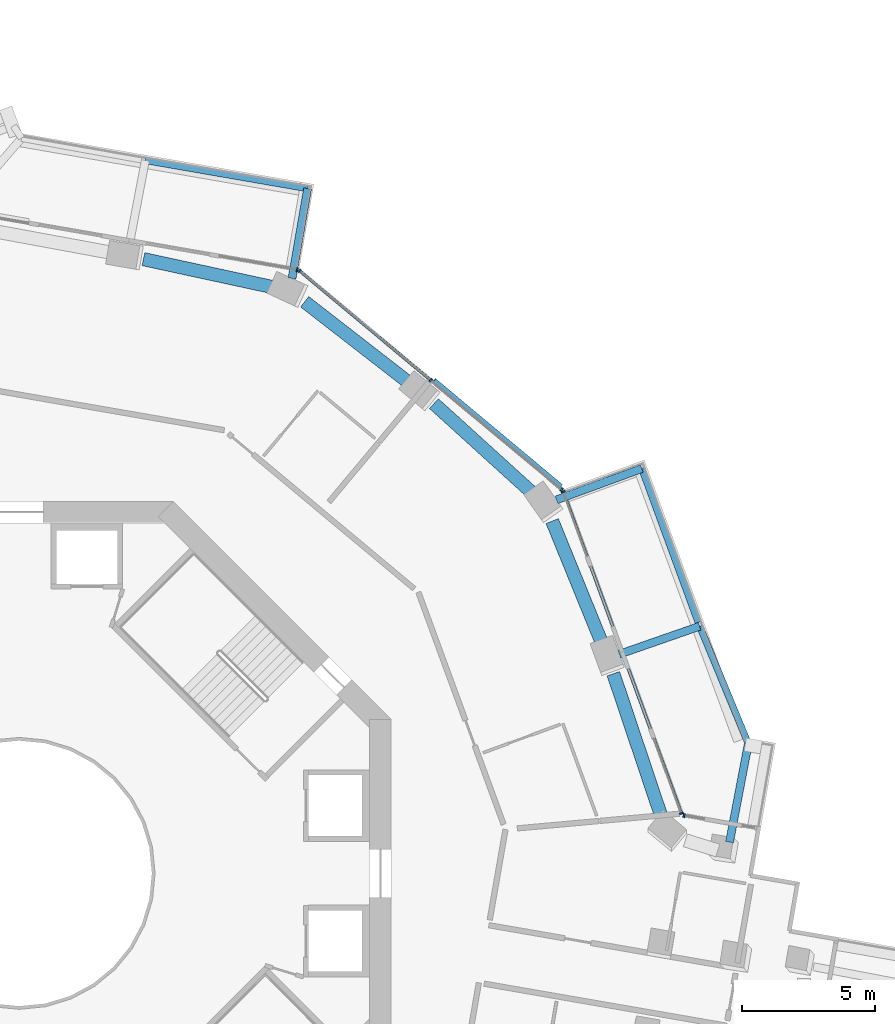
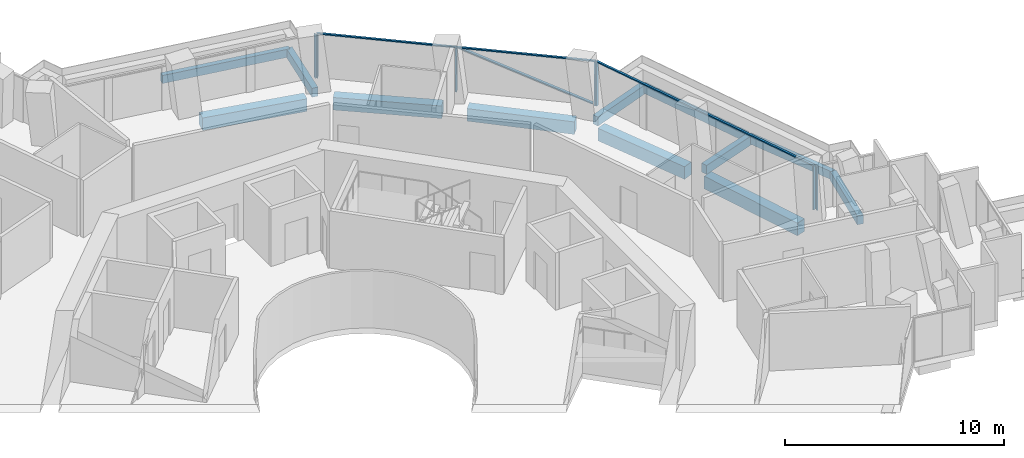
# One storey, part 9 of 24: 12 beams, 10 members, 4 elements without a shape of their own.
"""IFC4 building model written with IfcOpenShell, lengths in metres."""

from ifc_helpers import new_model, si_unit, direction, frame, origin, origin_2d, place, context, subcontext, project, spatial, rectangle, extrude, material, layer, layer_set, material_profile, profile_set, type_object, element, aggregate, save


model = new_model("IFC4")

# Units and contexts
model_context = context("Model", 3, precision=1e-05, world=origin(), true_north=direction((0.0, 1.0)))
body_context = subcontext(model_context, "Body", "Model", "MODEL_VIEW")
ifc_project = project(units=[si_unit("LENGTHUNIT", "METRE"), si_unit("AREAUNIT", "SQUARE_METRE"), si_unit("VOLUMEUNIT", "CUBIC_METRE"), si_unit("PLANEANGLEUNIT", "RADIAN"), si_unit("MASSUNIT", "GRAM", prefix="KILO")], contexts=[model_context])

# Site, building, storey
site_placement = place(None, origin())
site = spatial("IfcSite", under=ifc_project, at=site_placement, CompositionType="ELEMENT")
building_placement = place(site_placement, origin())
building = spatial("IfcBuilding", under=site, at=building_placement, Name="Verdalira Terraces Hotel", CompositionType="ELEMENT")
storey_placement = place(building_placement, frame((0.0, 0.0, 115.0)))
storey = spatial("IfcBuildingStorey", under=building, at=storey_placement, Name="L27", CompositionType="ELEMENT", Elevation=115.0)

# Beams
ifc_material_1 = material(Name="Concrete C40", Category="concrete")
ifc_material_profile_1 = material_profile(ifc_material_1, rectangle(XDim=0.300049, YDim=0.5, at=origin_2d()), Name="RC 300X500")
ifc_profile_set_1 = profile_set([ifc_material_profile_1], Name="Concrete C40")
beam_type_1 = type_object("IfcBeamType", Name="Balcony cantilever beam RC 300X500 C40", PredefinedType="BEAM", material=ifc_profile_set_1)
beam_1_placement = place(storey_placement, frame((26.745605, 1.177002, -0.560059), z_axis=(0.187403714, 0.982282978, 0.0), x_axis=(-0.982282978, 0.187403714, 0.0)))
element("IfcBeam", 1, at=beam_1_placement, inside=storey, type_object=beam_type_1, Name="Balcony cantilever beam R38-1", PredefinedType="BEAM", context=body_context, shape_type="SweptSolid", body=[
    extrude(rectangle(XDim=0.300049, YDim=0.5, at=origin_2d()), origin(), (0.0, 0.0, 1.0), 3.770264),
])
beam_2_placement = place(storey_placement, frame((22.598633, 8.251465, -0.560059), z_axis=(0.944373258, 0.328875585, 0.0), x_axis=(-0.328875585, 0.944373258, 0.0)))
element("IfcBeam", 2, at=beam_2_placement, inside=storey, type_object=beam_type_1, Name="Balcony cantilever beam R38-2", PredefinedType="BEAM", context=body_context, shape_type="SweptSolid", body=[
    extrude(rectangle(XDim=0.300049, YDim=0.5, at=origin_2d()), origin(), (0.0, 0.0, 1.0), 3.200928),
])
beam_3_placement = place(storey_placement, frame((20.234619, 14.062012, -0.560059), z_axis=(0.93872921, 0.344655583, 0.0), x_axis=(-0.344655583, 0.93872921, 0.0)))
element("IfcBeam", 3, at=beam_3_placement, inside=storey, type_object=beam_type_1, Name="Balcony cantilever beam R38-3", PredefinedType="BEAM", context=body_context, shape_type="SweptSolid", body=[
    extrude(rectangle(XDim=0.300049, YDim=0.5, at=origin_2d()), origin(), (0.0, 0.0, 1.0), 3.417236),
])
beam_4_placement = place(storey_placement, frame((10.275391, 22.400391, -0.560059), z_axis=(0.170902768, 0.985287899, 0.0), x_axis=(-0.985287899, 0.170902768, 0.0)))
element("IfcBeam", 4, at=beam_4_placement, inside=storey, type_object=beam_type_1, Name="Balcony cantilever beam R41-1", PredefinedType="BEAM", context=body_context, shape_type="SweptSolid", body=[
    extrude(rectangle(XDim=0.300049, YDim=0.5, at=origin_2d()), origin(), (0.0, 0.0, 1.0), 3.431396),
])
ifc_material_2 = material(Name="Concrete C40", Category="concrete")
ifc_material_profile_2 = material_profile(ifc_material_2, rectangle(XDim=0.25, YDim=0.449951, at=origin_2d()), Name="RC 250X450")
ifc_profile_set_2 = profile_set([ifc_material_profile_2], Name="Concrete C40")
beam_type_2 = type_object("IfcBeamType", Name="Balcony edge beam RC 250X450 C40", PredefinedType="BEAM", material=ifc_profile_set_2)
beam_5_placement = place(storey_placement, frame((27.452148, 4.880371, -0.534912), z_axis=(-0.382354795, 0.92401559, 0.0), x_axis=(-0.92401559, -0.382354795, 0.0)))
element("IfcBeam", 5, at=beam_5_placement, inside=storey, type_object=beam_type_2, Name="Balcony edge beam R38-1", PredefinedType="BEAM", context=body_context, shape_type="SweptSolid", body=[
    extrude(rectangle(XDim=0.25, YDim=0.449951, at=origin_2d()), origin(), (0.0, 0.0, 1.0), 4.787598),
])
beam_6_placement = place(storey_placement, frame((25.569824, 9.444824, -0.534912), z_axis=(-0.344631132, 0.938738186, 0.0), x_axis=(-0.938738186, -0.344631132, 0.0)))
element("IfcBeam", 6, at=beam_6_placement, inside=storey, type_object=beam_type_2, Name="Balcony edge beam R38-2", PredefinedType="BEAM", context=body_context, shape_type="SweptSolid", body=[
    extrude(rectangle(XDim=0.25, YDim=0.449951, at=origin_2d()), origin(), (0.0, 0.0, 1.0), 6.173096),
])
beam_7_placement = place(storey_placement, frame((10.861816, 25.78125, -0.534912), z_axis=(-0.985287957, 0.170902431, 0.0), x_axis=(-0.170902431, -0.985287957, 0.0)))
element("IfcBeam", 7, at=beam_7_placement, inside=storey, type_object=beam_type_2, Name="Balcony edge beam R41-1", PredefinedType="BEAM", context=body_context, shape_type="SweptSolid", body=[
    extrude(rectangle(XDim=0.25, YDim=0.449951, at=origin_2d()), origin(), (0.0, 0.0, 1.0), 6.199951),
])

# Curtain wall, members
ifc_material_3 = material(Name="Clear glass", Category="glass")
ifc_layer_1 = layer(ifc_material_3, 0.14990234375)
ifc_layer_set_1 = layer_set([ifc_layer_1], Name="CW1 curtain wall")
curtain_wall_type_1 = type_object("IfcCurtainWallType", Name="CW1 curtain wall", PredefinedType="NOTDEFINED", material=ifc_layer_set_1)
curtain_wall_1_placement = place(storey_placement, origin())
curtain_wall_1 = element("IfcCurtainWall", 8, at=curtain_wall_1_placement, inside=storey, type_object=curtain_wall_type_1, Name="CW1 curtain wall L27 edge 39", PredefinedType="NOTDEFINED")
ifc_material_4 = material(Name="Terracotta frame", Category="masonry")
ifc_material_profile_3 = material_profile(ifc_material_4, rectangle(XDim=0.060059, YDim=0.149902, at=origin_2d()), Name="MU 60x150")
ifc_profile_set_3 = profile_set([ifc_material_profile_3], Name="Terracotta frame")
member_type_1 = type_object("IfcMemberType", Name="CW1 mullion 60x150", PredefinedType="MULLION", material=ifc_profile_set_3)
member_1_placement = place(storey_placement, frame((24.931641, 2.260986, 0.0), z_axis=(0.0, 0.0, 1.0), x_axis=(-0.344642923, 0.938733858, 0.0)))
member_1 = element("IfcMember", 9, at=member_1_placement, type_object=member_type_1, Name="CW1 mullion", PredefinedType="MULLION", context=body_context, shape_type="SweptSolid", body=[
    extrude(rectangle(XDim=0.060059, YDim=0.149902, at=origin_2d()), origin(), (0.0, 0.0, 1.0), 2.425049),
])
member_2_placement = place(storey_placement, frame((20.48584, 14.370605, 0.0), z_axis=(0.0, 0.0, 1.0), x_axis=(-0.344642923, 0.938733858, 0.0)))
member_2 = element("IfcMember", 10, at=member_2_placement, type_object=member_type_1, Name="CW1 mullion", PredefinedType="MULLION", context=body_context, shape_type="SweptSolid", body=[
    extrude(rectangle(XDim=0.060059, YDim=0.149902, at=origin_2d()), origin(), (0.0, 0.0, 1.0), 2.425049),
])

curtain_wall_2_placement = place(storey_placement, origin())
curtain_wall_2 = element("IfcCurtainWall", 11, at=curtain_wall_2_placement, inside=storey, type_object=curtain_wall_type_1, Name="CW1 curtain wall L27 edge 40", PredefinedType="NOTDEFINED")
member_3_placement = place(storey_placement, frame((20.429932, 14.449707, 0.0), z_axis=(0.0, 0.0, 1.0), x_axis=(-0.767836456, 0.640645907, 0.0)))
member_3 = element("IfcMember", 12, at=member_3_placement, type_object=member_type_1, Name="CW1 mullion", PredefinedType="MULLION", context=body_context, shape_type="SweptSolid", body=[
    extrude(rectangle(XDim=0.060059, YDim=0.149902, at=origin_2d()), origin(), (0.0, 0.0, 1.0), 2.425049),
])
member_4_placement = place(storey_placement, frame((15.49292, 18.568848, 0.0), z_axis=(0.0, 0.0, 1.0), x_axis=(-0.767836456, 0.640645907, 0.0)))
member_4 = element("IfcMember", 13, at=member_4_placement, type_object=member_type_1, Name="CW1 mullion", PredefinedType="MULLION", context=body_context, shape_type="SweptSolid", body=[
    extrude(rectangle(XDim=0.060059, YDim=0.149902, at=origin_2d()), origin(), (0.0, 0.0, 1.0), 2.425049),
])
member_5_placement = place(storey_placement, frame((10.555908, 22.687988, 0.0), z_axis=(0.0, 0.0, 1.0), x_axis=(-0.767836456, 0.640645907, 0.0)))
member_5 = element("IfcMember", 14, at=member_5_placement, type_object=member_type_1, Name="CW1 mullion", PredefinedType="MULLION", context=body_context, shape_type="SweptSolid", body=[
    extrude(rectangle(XDim=0.060059, YDim=0.149902, at=origin_2d()), origin(), (0.0, 0.0, 1.0), 2.425049),
])

# Curtain wall, member
curtain_wall_3_placement = place(storey_placement, origin())
curtain_wall_3 = element("IfcCurtainWall", 15, at=curtain_wall_3_placement, inside=storey, type_object=curtain_wall_type_1, Name="CW1 curtain wall L27 edge 41", PredefinedType="NOTDEFINED")
member_6_placement = place(storey_placement, frame((10.468018, 22.72876, 0.0), z_axis=(0.0, 0.0, 1.0), x_axis=(-0.98528883, 0.170897402, 0.0)))
member_6 = element("IfcMember", 16, at=member_6_placement, type_object=member_type_1, Name="CW1 mullion", PredefinedType="MULLION", context=body_context, shape_type="SweptSolid", body=[
    extrude(rectangle(XDim=0.060059, YDim=0.149902, at=origin_2d()), origin(), (0.0, 0.0, 1.0), 2.425049),
])
aggregate(curtain_wall_3, [member_6])

# Member
ifc_material_5 = material(Name="Terracotta frame", Category="masonry")
ifc_material_profile_4 = material_profile(ifc_material_5, rectangle(XDim=0.110107, YDim=0.064941, at=origin_2d()), Name="TR 65x110")
ifc_profile_set_4 = profile_set([ifc_material_profile_4], Name="Terracotta frame")
member_type_2 = type_object("IfcMemberType", Name="CW1 transom 65x110", PredefinedType="USERDEFINED", material=ifc_profile_set_4)
member_7_placement = place(storey_placement, frame((24.941895, 2.23291, 2.45752), z_axis=(-0.344647069, 0.938732336, 0.0), x_axis=(-0.938732336, -0.344647069, 0.0)))
member_7 = element("IfcMember", 17, at=member_7_placement, type_object=member_type_2, Name="CW1 transom", ObjectType="TRANSOM", PredefinedType="USERDEFINED", context=body_context, shape_type="SweptSolid", body=[
    extrude(rectangle(XDim=0.110107, YDim=0.064941, at=origin_2d()), origin(), (0.0, 0.0, 1.0), 12.959717),
])

aggregate(curtain_wall_1, [member_1, member_2, member_7])

member_8_placement = place(storey_placement, frame((20.453125, 14.43042, 2.45752), z_axis=(-0.767838557, 0.640643388, 0.0), x_axis=(-0.640643388, -0.767838557, 0.0)))
member_8 = element("IfcMember", 18, at=member_8_placement, type_object=member_type_2, Name="CW1 transom", ObjectType="TRANSOM", PredefinedType="USERDEFINED", context=body_context, shape_type="SweptSolid", body=[
    extrude(rectangle(XDim=0.110107, YDim=0.064941, at=origin_2d()), origin(), (0.0, 0.0, 1.0), 12.919678),
])

# Curtain wall, member
ifc_material_6 = material(Name="Clear glass", Category="glass")
ifc_layer_2 = layer(ifc_material_6, 0.14990234375)
ifc_layer_set_2 = layer_set([ifc_layer_2], Name="CW2 curtain wall")
curtain_wall_type_2 = type_object("IfcCurtainWallType", Name="CW2 curtain wall", PredefinedType="NOTDEFINED", material=ifc_layer_set_2)
curtain_wall_4_placement = place(storey_placement, origin())
curtain_wall_4 = element("IfcCurtainWall", 19, at=curtain_wall_4_placement, inside=storey, type_object=curtain_wall_type_2, Name="CW2 curtain wall L27 edge 38", PredefinedType="NOTDEFINED")
ifc_material_7 = material(Name="Terracotta frame", Category="masonry")
ifc_material_profile_5 = material_profile(ifc_material_7, rectangle(XDim=0.070068, YDim=0.149902, at=origin_2d()), Name="MU 70x150")
ifc_profile_set_5 = profile_set([ifc_material_profile_5], Name="Terracotta frame")
member_type_3 = type_object("IfcMemberType", Name="CW2 mullion 70x150", PredefinedType="MULLION", material=ifc_profile_set_5)
member_9_placement = place(storey_placement, frame((25.033936, 2.178711, 0.0), z_axis=(0.0, 0.0, 1.0), x_axis=(-0.98528883, 0.170897402, 0.0)))
member_9 = element("IfcMember", 20, at=member_9_placement, type_object=member_type_3, Name="CW2 mullion", PredefinedType="MULLION", context=body_context, shape_type="SweptSolid", body=[
    extrude(rectangle(XDim=0.070068, YDim=0.149902, at=origin_2d()), origin(), (0.0, 0.0, 1.0), 2.425049),
])
aggregate(curtain_wall_4, [member_9])

# Member
ifc_material_8 = material(Name="Terracotta frame", Category="masonry")
ifc_material_profile_6 = material_profile(ifc_material_8, rectangle(XDim=0.149902, YDim=0.060059, at=origin_2d()), Name="GB 60x150")
ifc_profile_set_6 = profile_set([ifc_material_profile_6], Name="Terracotta frame")
member_type_4 = type_object("IfcMemberType", Name="Diagonal glazing bar 60x150", PredefinedType="USERDEFINED", material=ifc_profile_set_6)
member_10_placement = place(storey_placement, frame((20.406006, 14.585449, 0.028809), z_axis=(-0.71758252, 0.598743693, 0.355782682), x_axis=(-0.640663103, -0.767822107, 0.0)))
member_10 = element("IfcMember", 21, at=member_10_placement, type_object=member_type_4, Name="Diagonal glazing bar", ObjectType="GLAZING BAR", PredefinedType="USERDEFINED", context=body_context, shape_type="SweptSolid", body=[
    extrude(rectangle(XDim=0.149902, YDim=0.060059, at=origin_2d()), origin(), (0.0, 0.0, 1.0), 6.654053),
])

aggregate(curtain_wall_2, [member_3, member_4, member_5, member_8, member_10])

# Beams
ifc_material_9 = material(Name="Concrete C70", Category="concrete")
ifc_material_profile_7 = material_profile(ifc_material_9, rectangle(XDim=0.5, YDim=0.699951, at=origin_2d()), Name="RC 500X700")
ifc_profile_set_7 = profile_set([ifc_material_profile_7], Name="Concrete C70")
beam_type_3 = type_object("IfcBeamType", Name="Spandrel beam RC 500X700 C70", PredefinedType="SPANDREL", material=ifc_profile_set_7)
beam_8_placement = place(storey_placement, frame((24.179199, 2.140869, -0.659912), z_axis=(-0.318680414, 0.947862223, 0.0), x_axis=(-0.947862223, -0.318680414, 0.0)))
element("IfcBeam", 22, at=beam_8_placement, inside=storey, type_object=beam_type_3, Name="Spandrel beam B24", PredefinedType="SPANDREL", context=body_context, shape_type="SweptSolid", body=[
    extrude(rectangle(XDim=0.5, YDim=0.699951, at=origin_2d()), origin(), (0.0, 0.0, 1.0), 5.671387),
])
beam_9_placement = place(storey_placement, frame((21.961426, 8.619629, -0.659912), z_axis=(-0.377395907, 0.926052012, 0.0), x_axis=(-0.926052012, -0.377395907, 0.0)))
element("IfcBeam", 23, at=beam_9_placement, inside=storey, type_object=beam_type_3, Name="Spandrel beam B25", PredefinedType="SPANDREL", context=body_context, shape_type="SweptSolid", body=[
    extrude(rectangle(XDim=0.5, YDim=0.699951, at=origin_2d()), origin(), (0.0, 0.0, 1.0), 5.012207),
])
beam_10_placement = place(storey_placement, frame((19.329834, 14.315186, -0.659912), z_axis=(-0.740591707, 0.671955299, 0.0), x_axis=(-0.671955299, -0.740591707, 0.0)))
element("IfcBeam", 24, at=beam_10_placement, inside=storey, type_object=beam_type_3, Name="Spandrel beam B26", PredefinedType="SPANDREL", context=body_context, shape_type="SweptSolid", body=[
    extrude(rectangle(XDim=0.5, YDim=0.699951, at=origin_2d()), origin(), (0.0, 0.0, 1.0), 5.015381),
])
beam_11_placement = place(storey_placement, frame((14.709473, 18.445557, -0.659912), z_axis=(-0.789881739, 0.613259194, 0.0), x_axis=(-0.613259194, -0.789881739, 0.0)))
element("IfcBeam", 25, at=beam_11_placement, inside=storey, type_object=beam_type_3, Name="Spandrel beam B27", PredefinedType="SPANDREL", context=body_context, shape_type="SweptSolid", body=[
    extrude(rectangle(XDim=0.5, YDim=0.699951, at=origin_2d()), origin(), (0.0, 0.0, 1.0), 5.012207),
])
beam_12_placement = place(storey_placement, frame((9.58252, 22.0625, -0.659912), z_axis=(-0.977355701, 0.21160301, 0.0), x_axis=(-0.21160301, -0.977355701, 0.0)))
element("IfcBeam", 26, at=beam_12_placement, inside=storey, type_object=beam_type_3, Name="Spandrel beam B28", PredefinedType="SPANDREL", context=body_context, shape_type="SweptSolid", body=[
    extrude(rectangle(XDim=0.5, YDim=0.699951, at=origin_2d()), origin(), (0.0, 0.0, 1.0), 5.015381),
])

save(model, "model.ifc")
